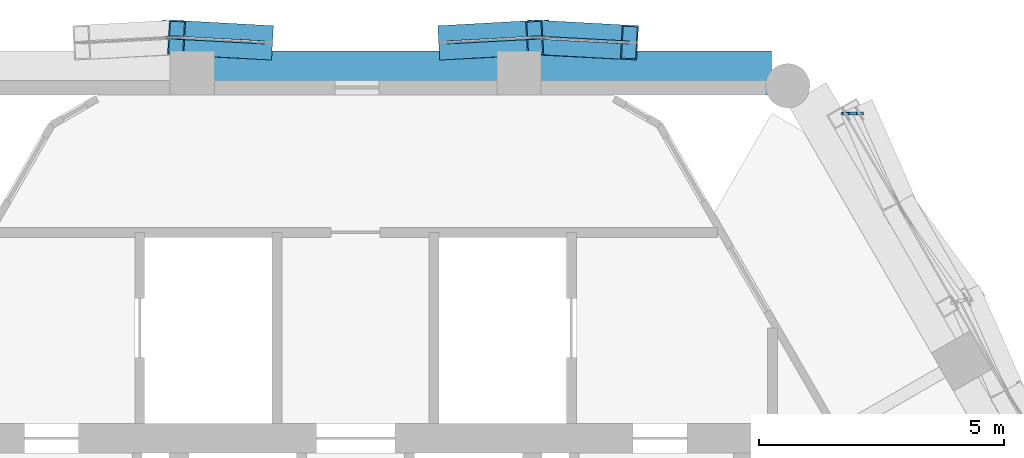
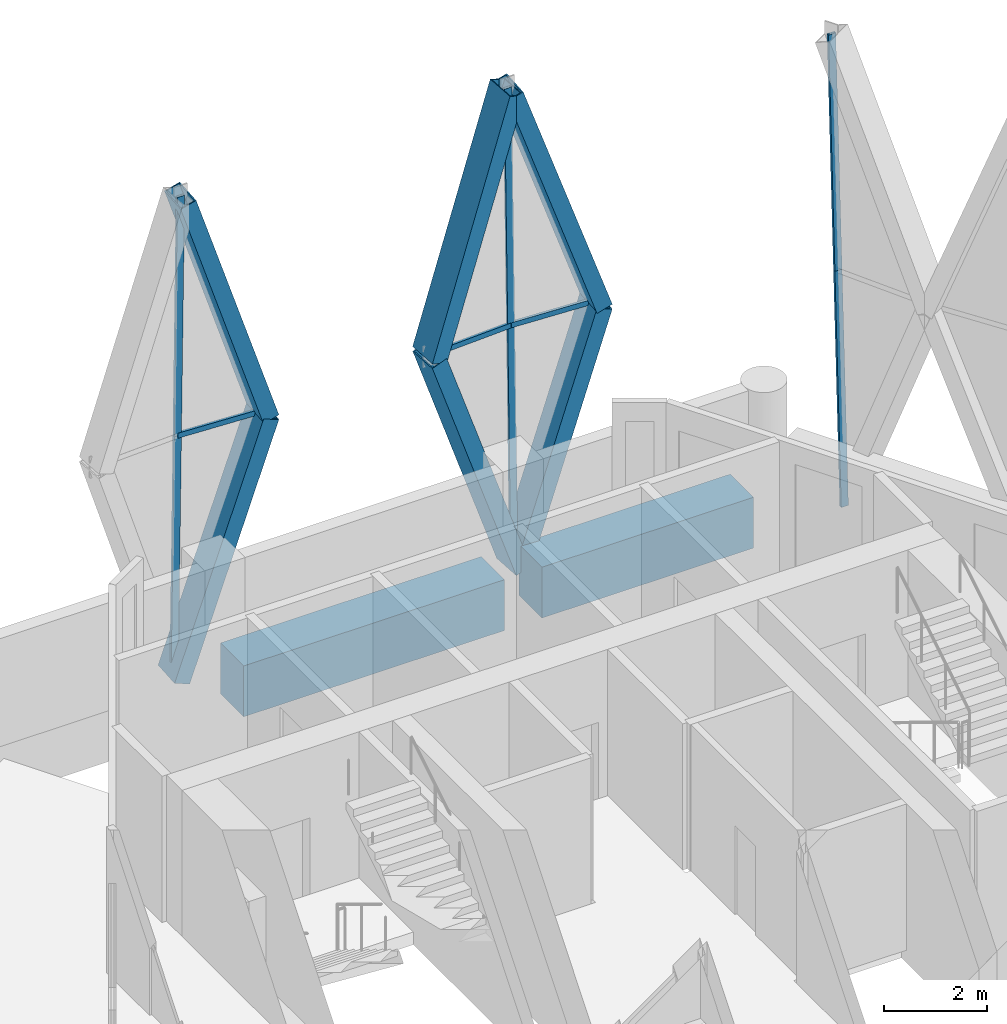
# One storey, part 9 of 22: 15 members, 2 beams, 3 elements without a shape of their own.
"""IFC4 building model written with IfcOpenShell, lengths in metres."""

from ifc_helpers import new_model, si_unit, direction, frame, origin, origin_2d, place, context, subcontext, project, spatial, rectangle, hollow_rectangle, extrude, material, material_profile, profile_set, type_object, element, aggregate, save


model = new_model("IFC4")

# Units and contexts
model_context = context("Model", 3, precision=1e-05, world=origin(), true_north=direction((0.0, 1.0)))
body_context = subcontext(model_context, "Body", "Model", "MODEL_VIEW")
ifc_project = project(units=[si_unit("LENGTHUNIT", "METRE"), si_unit("AREAUNIT", "SQUARE_METRE"), si_unit("VOLUMEUNIT", "CUBIC_METRE"), si_unit("PLANEANGLEUNIT", "RADIAN"), si_unit("MASSUNIT", "GRAM", prefix="KILO")], contexts=[model_context])

# Site, building, storey
site_placement = place(None, origin())
site = spatial("IfcSite", under=ifc_project, at=site_placement, CompositionType="ELEMENT")
building_placement = place(site_placement, origin())
building = spatial("IfcBuilding", under=site, at=building_placement, Name="Ostrander Bayou Hotel Tower", CompositionType="ELEMENT")
storey_placement = place(building_placement, frame((0.0, 0.0, 245.0)))
storey = spatial("IfcBuildingStorey", under=building, at=storey_placement, Name="L60", CompositionType="ELEMENT", Elevation=245.0)

# Curtain wall, members
ifc_material_1 = material(Name="Aluminium and clear glass", Category="aluminium")
curtain_wall_type = type_object("IfcCurtainWallType", Name="CW-LAT lattice glazing", PredefinedType="NOTDEFINED", material=ifc_material_1)
curtain_wall_1_placement = place(storey_placement, origin())
curtain_wall_1 = element("IfcCurtainWall", 1, at=curtain_wall_1_placement, inside=storey, type_object=curtain_wall_type, Name="CW-LAT L60 N 1", PredefinedType="NOTDEFINED")
ifc_material_2 = material(Name="Aluminium", Category="aluminium")
ifc_material_profile_1 = material_profile(ifc_material_2, hollow_rectangle(XDim=0.06005859375, YDim=0.159912109375, WallThickness=0.00390625, at=origin_2d()))
ifc_profile_set_1 = profile_set([ifc_material_profile_1], Name="Aluminium")
member_type_1 = type_object("IfcMemberType", Name="CW-LA mullion 60 x 160 mm", PredefinedType="MULLION", material=ifc_profile_set_1)
member_1_placement = place(storey_placement, frame((3.7919921875, 17.570068359375, -0.60009765625), z_axis=(-0.012585808625, 0.0, 0.999920795574), x_axis=(0.0, -1.0, 0.0)))
member_1 = element("IfcMember", 2, at=member_1_placement, type_object=member_type_1, Name="CW-LAT mullion 1", PredefinedType="MULLION", context=body_context, shape_type="SweptSolid", body=[
    extrude(hollow_rectangle(XDim=0.06005859375, YDim=0.159912109375, WallThickness=0.00390625, at=origin_2d()), origin(), (0.0, 0.0, 1.0), 5.62548828125),
])
member_2_placement = place(storey_placement, frame((3.72119140625, 17.570068359375, 5.02490234375), z_axis=(-0.012585808625, 0.0, 0.999920795574), x_axis=(0.0, -1.0, 0.0)))
member_2 = element("IfcMember", 3, at=member_2_placement, type_object=member_type_1, Name="CW-LAT mullion 2", PredefinedType="MULLION", context=body_context, shape_type="SweptSolid", body=[
    extrude(hollow_rectangle(XDim=0.06005859375, YDim=0.159912109375, WallThickness=0.00390625, at=origin_2d()), origin(), (0.0, 0.0, 1.0), 5.62548828125),
])
member_3_placement = place(storey_placement, frame((-3.7919921875, 17.570068359375, -0.60009765625), z_axis=(0.012585808625, 0.0, 0.999920795574), x_axis=(0.0, 1.0, 0.0)))
member_3 = element("IfcMember", 4, at=member_3_placement, type_object=member_type_1, Name="CW-LAT mullion 5", PredefinedType="MULLION", context=body_context, shape_type="SweptSolid", body=[
    extrude(hollow_rectangle(XDim=0.06005859375, YDim=0.159912109375, WallThickness=0.00390625, at=origin_2d()), origin(), (0.0, 0.0, 1.0), 5.62548828125),
])
member_4_placement = place(storey_placement, frame((-3.72119140625, 17.570068359375, 5.02490234375), z_axis=(0.012585808625, 0.0, 0.999920795574), x_axis=(0.0, 1.0, 0.0)))
member_4 = element("IfcMember", 5, at=member_4_placement, type_object=member_type_1, Name="CW-LAT mullion 6", PredefinedType="MULLION", context=body_context, shape_type="SweptSolid", body=[
    extrude(hollow_rectangle(XDim=0.06005859375, YDim=0.159912109375, WallThickness=0.00390625, at=origin_2d()), origin(), (0.0, 0.0, 1.0), 5.62548828125),
])
aggregate(curtain_wall_1, [member_1, member_2, member_3, member_4])

curtain_wall_2_placement = place(storey_placement, origin())
curtain_wall_2 = element("IfcCurtainWall", 6, at=curtain_wall_2_placement, inside=storey, type_object=curtain_wall_type, Name="CW-LAT L60 NE 1", PredefinedType="NOTDEFINED")
member_5_placement = place(storey_placement, frame((10.271240234375, 16.0185546875, -0.60009765625), z_axis=(-0.025165638507, 0.0, 0.999683295168), x_axis=(0.0, -1.0, 0.0)))
member_5 = element("IfcMember", 7, at=member_5_placement, type_object=member_type_1, Name="CW-LAT mullion 16", PredefinedType="MULLION", context=body_context, shape_type="SweptSolid", body=[
    extrude(hollow_rectangle(XDim=0.06005859375, YDim=0.159912109375, WallThickness=0.00390625, at=origin_2d()), origin(), (0.0, 0.0, 1.0), 5.626708984375),
])
member_6_placement = place(storey_placement, frame((10.129638671875, 16.0185546875, 5.02490234375), z_axis=(-0.025208999989, 0.0, 0.999682202662), x_axis=(0.0, -1.0, 0.0)))
member_6 = element("IfcMember", 8, at=member_6_placement, type_object=member_type_1, Name="CW-LAT mullion 17", PredefinedType="MULLION", context=body_context, shape_type="SweptSolid", body=[
    extrude(hollow_rectangle(XDim=0.06005859375, YDim=0.159912109375, WallThickness=0.00390625, at=origin_2d()), origin(), (0.0, 0.0, 1.0), 5.626708984375),
])
aggregate(curtain_wall_2, [member_5, member_6])

curtain_wall_3_placement = place(storey_placement, origin())
curtain_wall_3 = element("IfcCurtainWall", 9, at=curtain_wall_3_placement, inside=storey, type_object=curtain_wall_type, Name="CW-LAT L60 N 2", PredefinedType="NOTDEFINED")
ifc_material_3 = material(Name="Aluminium", Category="aluminium")
ifc_material_profile_2 = material_profile(ifc_material_3, hollow_rectangle(XDim=0.06005859375, YDim=0.1201171875, WallThickness=0.00390625, at=origin_2d()))
ifc_profile_set_2 = profile_set([ifc_material_profile_2], Name="Aluminium")
member_type_2 = type_object("IfcMemberType", Name="CW-LA transom 60 x 120 mm", PredefinedType="USERDEFINED", material=ifc_profile_set_2)
member_7_placement = place(storey_placement, frame((3.72119140625, 17.570068359375, 5.02490234375), z_axis=(0.998576992717, -0.053329069156, 0.0), x_axis=(0.053329069156, 0.998576992717, 0.0)))
member_7 = element("IfcMember", 10, at=member_7_placement, type_object=member_type_2, Name="CW-LAT transom 3", ObjectType="TRANSOM", PredefinedType="USERDEFINED", context=body_context, shape_type="SweptSolid", body=[
    extrude(hollow_rectangle(XDim=0.06005859375, YDim=0.1201171875, WallThickness=0.00390625, at=origin_2d()), origin(), (0.0, 0.0, 1.0), 1.86328125),
])
member_8_placement = place(storey_placement, frame((3.72119140625, 17.570068359375, 5.02490234375), z_axis=(-0.998576992717, -0.053329069156, 0.0), x_axis=(0.053329069156, -0.998576992717, 0.0)))
member_8 = element("IfcMember", 11, at=member_8_placement, type_object=member_type_2, Name="CW-LAT transom 4", ObjectType="TRANSOM", PredefinedType="USERDEFINED", context=body_context, shape_type="SweptSolid", body=[
    extrude(hollow_rectangle(XDim=0.06005859375, YDim=0.1201171875, WallThickness=0.00390625, at=origin_2d()), origin(), (0.0, 0.0, 1.0), 1.86328125),
])
member_9_placement = place(storey_placement, frame((-3.72119140625, 17.570068359375, 5.02490234375), z_axis=(0.998576992717, -0.053329069156, 0.0), x_axis=(0.053329069156, 0.998576992717, 0.0)))
member_9 = element("IfcMember", 12, at=member_9_placement, type_object=member_type_2, Name="CW-LAT transom 7", ObjectType="TRANSOM", PredefinedType="USERDEFINED", context=body_context, shape_type="SweptSolid", body=[
    extrude(hollow_rectangle(XDim=0.06005859375, YDim=0.1201171875, WallThickness=0.00390625, at=origin_2d()), origin(), (0.0, 0.0, 1.0), 1.86328125),
])
aggregate(curtain_wall_3, [member_7, member_8, member_9])

# Members
ifc_material_4 = material(Name="Steel ASTM A572 Gr 50", Category="steel")
ifc_material_profile_3 = material_profile(ifc_material_4, hollow_rectangle(XDim=0.699951171875, YDim=0.35009765625, WallThickness=0.02490234375, at=origin_2d()))
ifc_profile_set_3 = profile_set([ifc_material_profile_3], Name="Steel ASTM A572 Gr 50")
member_type_3 = type_object("IfcMemberType", Name="LT1 lattice member box 700 x 350 x 25 mm", PredefinedType="BRACE", material=ifc_profile_set_3)
member_10_placement = place(storey_placement, frame((5.581787109375, 17.470703125, 5.02490234375), z_axis=(-0.303164122078, 0.016830964082, -0.952789711181), x_axis=(-0.055432303406, -0.998462447836, 0.0)))
element("IfcMember", 13, at=member_10_placement, inside=storey, type_object=member_type_3, Name="LT1 L60 N 1", PredefinedType="BRACE", context=body_context, shape_type="SweptSolid", body=[
    extrude(hollow_rectangle(XDim=0.699951171875, YDim=0.35009765625, WallThickness=0.02490234375, at=origin_2d()), origin(), (0.0, 0.0, 1.0), 5.90380859375),
])
for number, where, z_axis, x_axis, name in (
    (14, (5.581787109375, 17.470703125, 5.02490234375), (-0.324704022314, 0.016705162063, 0.945668142349), (-0.051379400453, -0.998679206357, 0.0), "LT1 L60 N 2"),
    (15, (1.860595703125, 17.470703125, 5.02490234375), (0.324704022314, 0.016705162063, -0.945668142349), (-0.051379400453, 0.998679206357, 0.0), "LT1 L60 N 3"),
):
    element("IfcMember", number, at=place(storey_placement, frame(where, z_axis=z_axis, x_axis=x_axis)), inside=storey, type_object=member_type_3, Name=name, PredefinedType="BRACE", context=body_context, shape_type="SweptSolid", body=[
        extrude(hollow_rectangle(XDim=0.699951171875, YDim=0.35009765625, WallThickness=0.02490234375, at=origin_2d()), origin(), (0.0, 0.0, 1.0), 5.9482421875),
    ])
member_11_placement = place(storey_placement, frame((1.860595703125, 17.470703125, 5.02490234375), z_axis=(0.303164122078, 0.016830964082, 0.952789711181), x_axis=(-0.055432303406, 0.998462447836, 0.0)))
element("IfcMember", 16, at=member_11_placement, inside=storey, type_object=member_type_3, Name="LT1 L60 N 4", PredefinedType="BRACE", context=body_context, shape_type="SweptSolid", body=[
    extrude(hollow_rectangle(XDim=0.699951171875, YDim=0.35009765625, WallThickness=0.02490234375, at=origin_2d()), origin(), (0.0, 0.0, 1.0), 5.90380859375),
])
member_12_placement = place(storey_placement, frame((-1.860595703125, 17.470703125, 5.02490234375), z_axis=(-0.324704022314, 0.016705162063, -0.945668142349), x_axis=(-0.051379400453, -0.998679206357, 0.0)))
element("IfcMember", 17, at=member_12_placement, inside=storey, type_object=member_type_3, Name="LT1 L60 N 5", PredefinedType="BRACE", context=body_context, shape_type="SweptSolid", body=[
    extrude(hollow_rectangle(XDim=0.699951171875, YDim=0.35009765625, WallThickness=0.02490234375, at=origin_2d()), origin(), (0.0, 0.0, 1.0), 5.9482421875),
])
member_13_placement = place(storey_placement, frame((-1.860595703125, 17.470703125, 5.02490234375), z_axis=(-0.303164122078, 0.016830964082, 0.952789711181), x_axis=(-0.055432303406, -0.998462447836, 0.0)))
element("IfcMember", 18, at=member_13_placement, inside=storey, type_object=member_type_3, Name="LT1 L60 N 6", PredefinedType="BRACE", context=body_context, shape_type="SweptSolid", body=[
    extrude(hollow_rectangle(XDim=0.699951171875, YDim=0.35009765625, WallThickness=0.02490234375, at=origin_2d()), origin(), (0.0, 0.0, 1.0), 5.90380859375),
])

# Beams
ifc_material_5 = material(Name="Concrete f'c 60 MPa", Category="concrete")
ifc_material_profile_4 = material_profile(ifc_material_5, rectangle(XDim=0.89990234375, YDim=1.199951171875, at=origin_2d()))
ifc_profile_set_4 = profile_set([ifc_material_profile_4], Name="Concrete f'c 60 MPa")
beam_type = type_object("IfcBeamType", Name="SP4 spandrel beam 900 x 1200 mm f'c 60 MPa", PredefinedType="SPANDREL", material=ifc_profile_set_4)
beam_1_placement = place(storey_placement, frame((8.47265625, 16.85009765625, -0.60009765625), z_axis=(-1.0, 0.0, 0.0), x_axis=(0.0, -1.0, 0.0)))
element("IfcBeam", 19, at=beam_1_placement, inside=storey, type_object=beam_type, Name="SP4 L60 N-1", PredefinedType="SPANDREL", context=body_context, shape_type="SweptSolid", body=[
    extrude(rectangle(XDim=0.89990234375, YDim=1.199951171875, at=origin_2d()), origin(), (0.0, 0.0, 1.0), 4.72314453125),
])
beam_2_placement = place(storey_placement, frame((2.909423828125, 16.85009765625, -0.60009765625), z_axis=(-1.0, 0.0, 0.0), x_axis=(0.0, -1.0, 0.0)))
element("IfcBeam", 20, at=beam_2_placement, inside=storey, type_object=beam_type, Name="SP4 L60 N-2", PredefinedType="SPANDREL", context=body_context, shape_type="SweptSolid", body=[
    extrude(rectangle(XDim=0.89990234375, YDim=1.199951171875, at=origin_2d()), origin(), (0.0, 0.0, 1.0), 5.81884765625),
])

save(model, "model.ifc")
